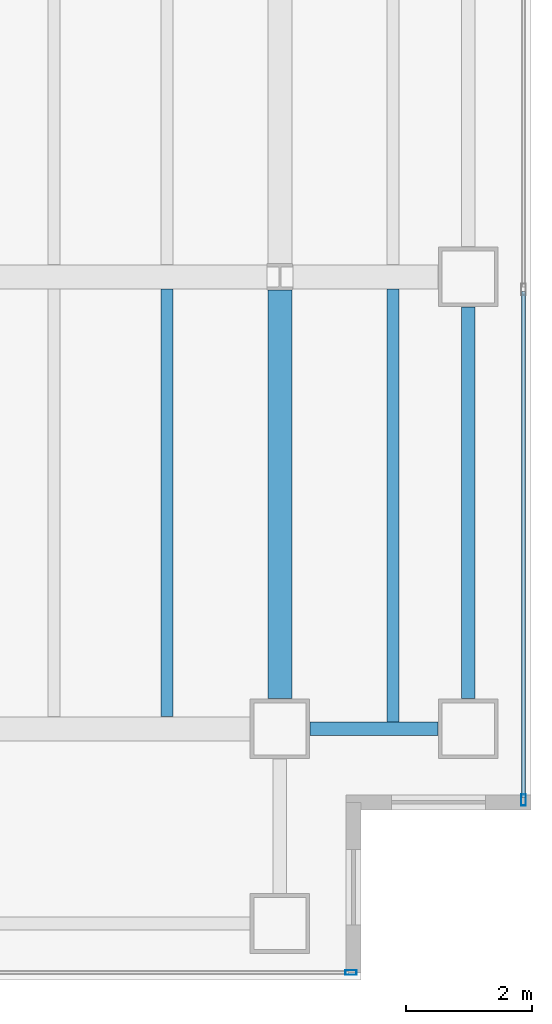
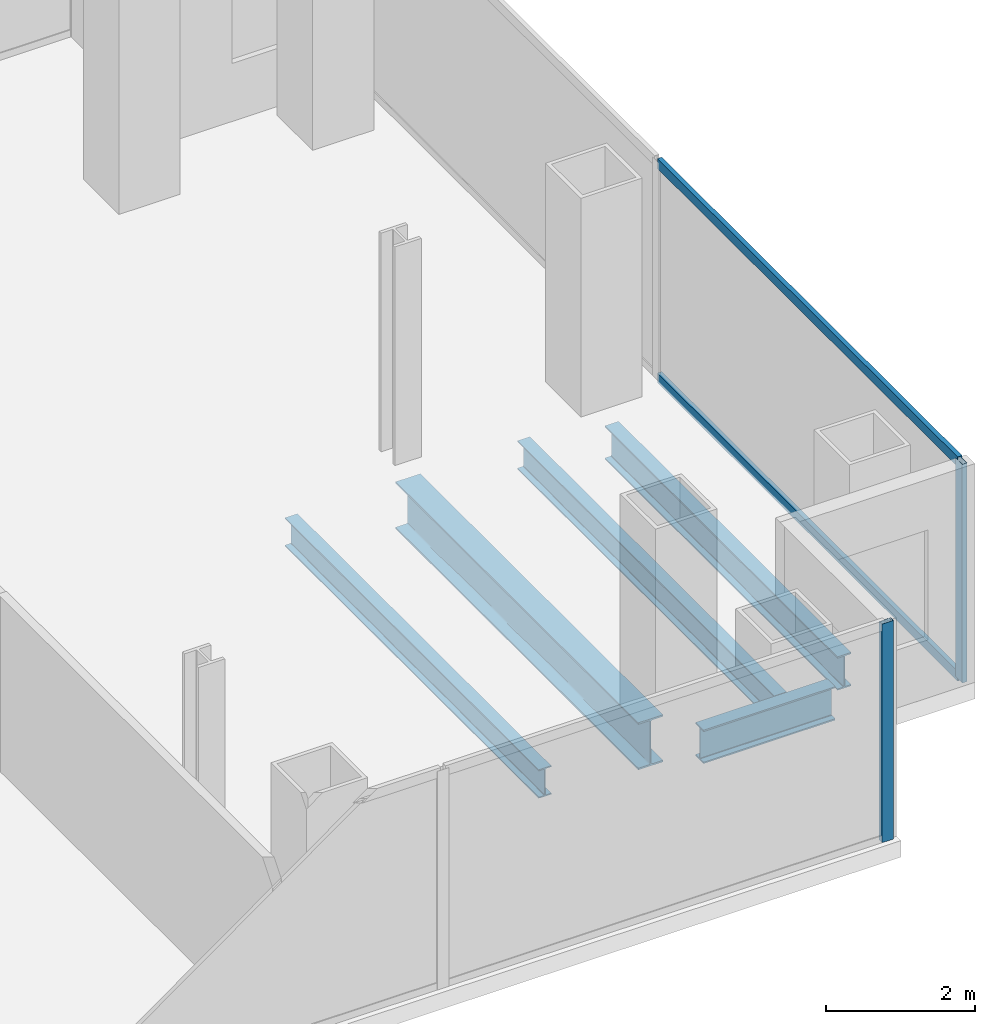
# One storey, part 11 of 23: 5 beams, 4 members, 2 elements without a shape of their own.
"""IFC4 building model written with IfcOpenShell, lengths in metres."""

from ifc_helpers import new_model, si_unit, direction, frame, origin, origin_2d, place, context, subcontext, project, spatial, hollow_rectangle, i_section, extrude, material, material_profile, profile_set, type_object, element, aggregate, save


model = new_model("IFC4")

# Units and contexts
model_context = context("Model", 3, precision=1e-05, world=origin(), true_north=direction((0.0, 1.0)))
body_context = subcontext(model_context, "Body", "Model", "MODEL_VIEW")
ifc_project = project(units=[si_unit("LENGTHUNIT", "METRE"), si_unit("AREAUNIT", "SQUARE_METRE"), si_unit("VOLUMEUNIT", "CUBIC_METRE"), si_unit("PLANEANGLEUNIT", "RADIAN"), si_unit("MASSUNIT", "GRAM", prefix="KILO")], contexts=[model_context])

# Site, building, storey
site_placement = place(None, origin())
site = spatial("IfcSite", under=ifc_project, at=site_placement, CompositionType="ELEMENT")
building_placement = place(site_placement, origin())
building = spatial("IfcBuilding", under=site, at=building_placement, Name="Cobrela Telecom Tower", CompositionType="ELEMENT")
storey_placement = place(building_placement, frame((0.0, 0.0, 113.75)))
storey = spatial("IfcBuildingStorey", under=building, at=storey_placement, Name="L28", CompositionType="ELEMENT", Elevation=113.75)

# Beams
ifc_material_1 = material(Name="Steel ASTM A992 Grade 50", Category="steel")
ifc_material_profile_1 = material_profile(ifc_material_1, i_section(OverallWidth=0.381103515625, OverallDepth=0.77197265625, WebThickness=0.0166015625, FlangeThickness=0.027099609375, FilletRadius=0.01904296875, at=origin_2d()), Name="W30X173")
ifc_profile_set_1 = profile_set([ifc_material_profile_1], Name="Steel ASTM A992 Grade 50")
beam_type_1 = type_object("IfcBeamType", Name="BM-GIRD-04", PredefinedType="USERDEFINED", material=ifc_profile_set_1)
beam_1_placement = place(storey_placement, frame((43.199951171875, 7.679931640625, -0.656005859375), z_axis=(0.0, 1.0, 0.0), x_axis=(-1.0, 0.0, 0.0)))
element("IfcBeam", 1, at=beam_1_placement, inside=storey, type_object=beam_type_1, Name="L28 Primary Girder Y53", ObjectType="GIRDER", PredefinedType="USERDEFINED", context=body_context, shape_type="SweptSolid", body=[
    extrude(i_section(OverallWidth=0.381103515625, OverallDepth=0.77197265625, WebThickness=0.0166015625, FlangeThickness=0.027099609375, FilletRadius=0.01904296875, at=origin_2d()), origin(), (0.0, 0.0, 1.0), 6.510498046875),
])
ifc_material_profile_2 = material_profile(ifc_material_1, i_section(OverallWidth=0.193115234375, OverallDepth=0.467041015625, WebThickness=0.011474609375, FlangeThickness=0.01904296875, FilletRadius=0.012939453125, at=origin_2d()), Name="W18X65")
ifc_profile_set_2 = profile_set([ifc_material_profile_2], Name="Steel ASTM A992 Grade 50")
beam_type_2 = type_object("IfcBeamType", Name="BM-JOIST-03", PredefinedType="JOIST", material=ifc_profile_set_2)
beam_2_placement = place(storey_placement, frame((41.39990234375, 7.3955078125, -0.50341796875), z_axis=(0.0, 1.0, 0.0), x_axis=(-1.0, 0.0, 0.0)))
element("IfcBeam", 2, at=beam_2_placement, inside=storey, type_object=beam_type_2, Name="L28 Secondary Composite Floor Beam J37", PredefinedType="JOIST", context=body_context, shape_type="SweptSolid", body=[
    extrude(i_section(OverallWidth=0.193115234375, OverallDepth=0.467041015625, WebThickness=0.011474609375, FlangeThickness=0.01904296875, FilletRadius=0.012939453125, at=origin_2d()), origin(), (0.0, 0.0, 1.0), 6.80908203125),
])
beam_3_placement = place(storey_placement, frame((45.0, 7.3115234375, -0.50341796875), z_axis=(0.0, 1.0, 0.0), x_axis=(-1.0, 0.0, 0.0)))
element("IfcBeam", 3, at=beam_3_placement, inside=storey, type_object=beam_type_2, Name="L28 Secondary Composite Floor Beam J39", PredefinedType="JOIST", context=body_context, shape_type="SweptSolid", body=[
    extrude(i_section(OverallWidth=0.193115234375, OverallDepth=0.467041015625, WebThickness=0.011474609375, FlangeThickness=0.01904296875, FilletRadius=0.012939453125, at=origin_2d()), origin(), (0.0, 0.0, 1.0), 6.89306640625),
])
ifc_material_profile_3 = material_profile(ifc_material_1, i_section(OverallWidth=0.212890625, OverallDepth=0.549072265625, WebThickness=0.0146484375, FlangeThickness=0.023681640625, FilletRadius=0.013916015625, at=origin_2d()), Name="W21X93")
ifc_profile_set_3 = profile_set([ifc_material_profile_3], Name="Steel ASTM A992 Grade 50")
beam_type_3 = type_object("IfcBeamType", Name="BM-SPAND-03", PredefinedType="SPANDREL", material=ifc_profile_set_3)
beam_4_placement = place(storey_placement, frame((43.679931640625, 7.199951171875, -0.54443359375), z_axis=(1.0, 0.0, 0.0), x_axis=(0.0, 1.0, 0.0)))
element("IfcBeam", 4, at=beam_4_placement, inside=storey, type_object=beam_type_3, Name="L28 Perimeter Spandrel X12", PredefinedType="SPANDREL", context=body_context, shape_type="SweptSolid", body=[
    extrude(i_section(OverallWidth=0.212890625, OverallDepth=0.549072265625, WebThickness=0.0146484375, FlangeThickness=0.023681640625, FilletRadius=0.013916015625, at=origin_2d()), origin(), (0.0, 0.0, 1.0), 2.0400390625),
])
beam_5_placement = place(storey_placement, frame((46.199951171875, 7.679931640625, -0.54443359375), z_axis=(0.0, 1.0, 0.0), x_axis=(-1.0, 0.0, 0.0)))
element("IfcBeam", 5, at=beam_5_placement, inside=storey, type_object=beam_type_3, Name="L28 Perimeter Spandrel Y55", PredefinedType="SPANDREL", context=body_context, shape_type="SweptSolid", body=[
    extrude(i_section(OverallWidth=0.212890625, OverallDepth=0.549072265625, WebThickness=0.0146484375, FlangeThickness=0.023681640625, FilletRadius=0.013916015625, at=origin_2d()), origin(), (0.0, 0.0, 1.0), 6.239990234375),
])

# Curtain wall, member
ifc_material_2 = material(Name="Anodized Bronze Aluminium 6063-T6", Category="aluminium")
curtain_wall_type = type_object("IfcCurtainWallType", Name="CW-SYS-TEL", PredefinedType="USERDEFINED", material=ifc_material_2)
curtain_wall_1_placement = place(storey_placement, origin())
curtain_wall_1 = element("IfcCurtainWall", 6, at=curtain_wall_1_placement, inside=storey, type_object=curtain_wall_type, Name="L28 Unitised Bronze Curtain Wall 14", ObjectType="UNITISED CURTAIN WALL", PredefinedType="USERDEFINED")
ifc_material_profile_4 = material_profile(ifc_material_2, hollow_rectangle(XDim=0.074951171875, YDim=0.179931640625, WallThickness=0.00390625, at=origin_2d()), Name="ALU 75x180x4")
ifc_profile_set_4 = profile_set([ifc_material_profile_4], Name="Anodized Bronze Aluminium 6063-T6")
member_type_1 = type_object("IfcMemberType", Name="CW-SYS-TEL-MUL", PredefinedType="MULLION", material=ifc_profile_set_4)
member_1_placement = place(storey_placement, frame((47.080078125, 6.0673828125, 0.0), z_axis=(0.0, 0.0, 1.0), x_axis=(1.0, 0.0, 0.0)))
member_1 = element("IfcMember", 7, at=member_1_placement, type_object=member_type_1, Name="CW-TEL mullion 3", PredefinedType="MULLION", context=body_context, shape_type="SweptSolid", body=[
    extrude(hollow_rectangle(XDim=0.074951171875, YDim=0.179931640625, WallThickness=0.00390625, at=origin_2d()), origin(), (0.0, 0.0, 1.0), 3.580078125),
])

curtain_wall_2_placement = place(storey_placement, origin())
curtain_wall_2 = element("IfcCurtainWall", 8, at=curtain_wall_2_placement, inside=storey, type_object=curtain_wall_type, Name="L28 Unitised Bronze Curtain Wall 17", ObjectType="UNITISED CURTAIN WALL", PredefinedType="USERDEFINED")
member_2_placement = place(storey_placement, frame((44.33251953125, 3.320068359375, 0.0), z_axis=(0.0, 0.0, 1.0), x_axis=(0.0, -1.0, 0.0)))
member_2 = element("IfcMember", 9, at=member_2_placement, type_object=member_type_1, Name="CW-TEL mullion 1", PredefinedType="MULLION", context=body_context, shape_type="SweptSolid", body=[
    extrude(hollow_rectangle(XDim=0.074951171875, YDim=0.179931640625, WallThickness=0.00390625, at=origin_2d()), origin(), (0.0, 0.0, 1.0), 3.580078125),
])
aggregate(curtain_wall_2, [member_2])

# Member
ifc_material_profile_5 = material_profile(ifc_material_2, hollow_rectangle(XDim=0.070068359375, YDim=0.159912109375, WallThickness=0.00390625, at=origin_2d()), Name="ALU 70x160x4")
ifc_profile_set_5 = profile_set([ifc_material_profile_5], Name="Anodized Bronze Aluminium 6063-T6")
member_type_2 = type_object("IfcMemberType", Name="CW-SYS-TEL-TRN", PredefinedType="USERDEFINED", material=ifc_profile_set_5)
member_3_placement = place(storey_placement, frame((47.080078125, 14.16259765625, 0.034912109375), z_axis=(0.0, -1.0, 0.0), x_axis=(1.0, 0.0, 0.0)))
member_3 = element("IfcMember", 10, at=member_3_placement, type_object=member_type_2, Name="CW-TEL transom 2.1", ObjectType="TRANSOM", PredefinedType="USERDEFINED", context=body_context, shape_type="SweptSolid", body=[
    extrude(hollow_rectangle(XDim=0.070068359375, YDim=0.159912109375, WallThickness=0.00390625, at=origin_2d()), origin(), (0.0, 0.0, 1.0), 8.0576171875),
])

member_4_placement = place(storey_placement, frame((47.080078125, 14.16259765625, 3.544921875), z_axis=(0.0, -1.0, 0.0), x_axis=(1.0, 0.0, 0.0)))
member_4 = element("IfcMember", 11, at=member_4_placement, type_object=member_type_2, Name="CW-TEL transom 2.2", ObjectType="TRANSOM", PredefinedType="USERDEFINED", context=body_context, shape_type="SweptSolid", body=[
    extrude(hollow_rectangle(XDim=0.070068359375, YDim=0.159912109375, WallThickness=0.00390625, at=origin_2d()), origin(), (0.0, 0.0, 1.0), 8.0576171875),
])

aggregate(curtain_wall_1, [member_1, member_3, member_4])

save(model, "model.ifc")
